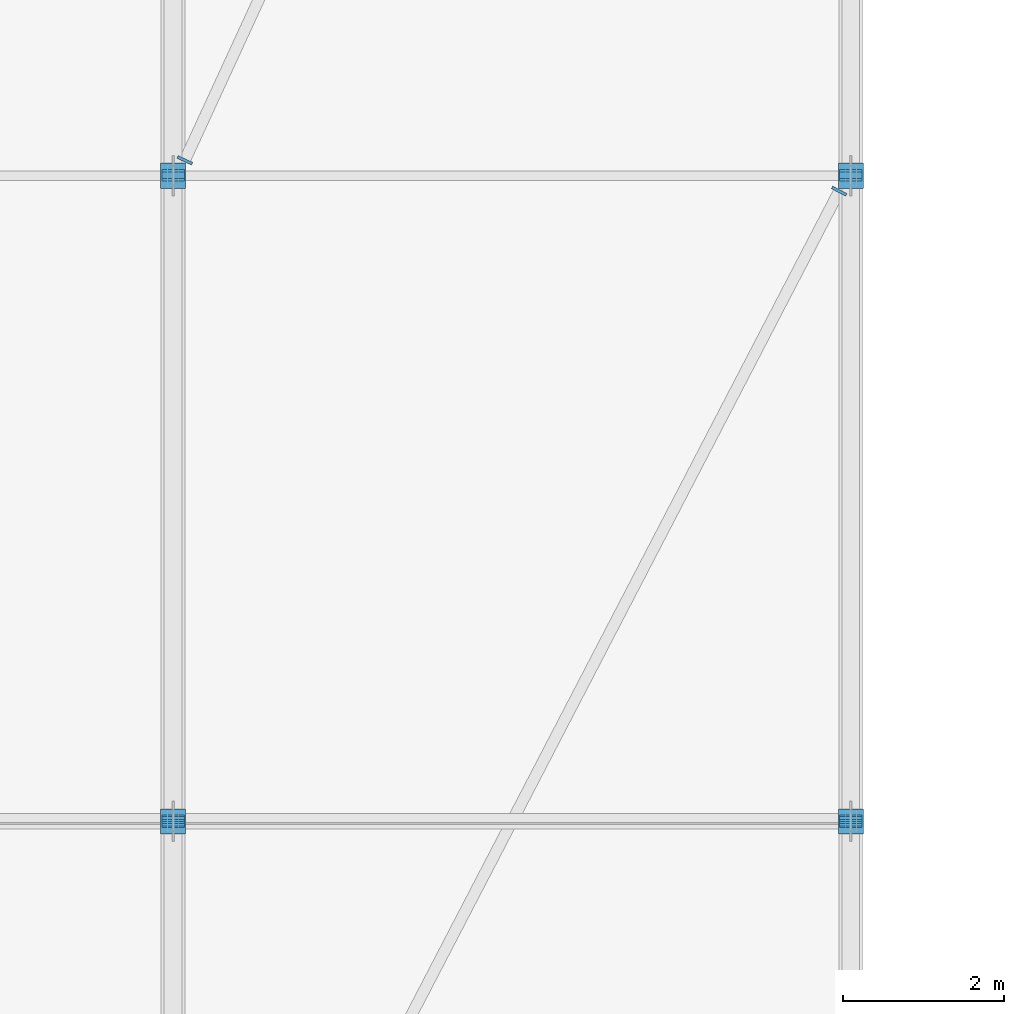
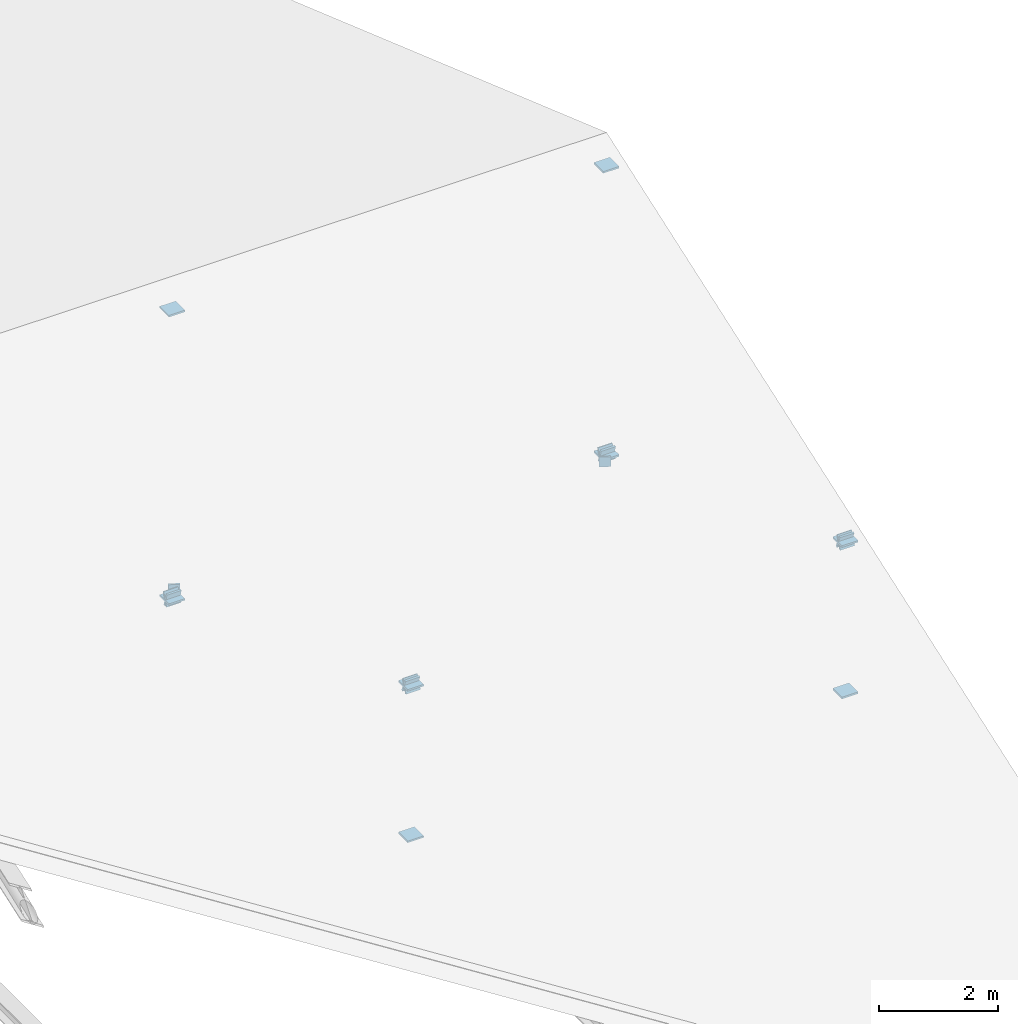
# One storey, part 44 of 57: 18 discrete accessories.
"""IFC4 building model written with IfcOpenShell, lengths in metres."""

from ifc_helpers import new_model, si_unit, direction, frame, origin, origin_2d, place, context, subcontext, project, spatial, rectangle, extrude, material, material_profile, profile_set, type_object, element, save


model = new_model("IFC4")

# Units and contexts
model_context = context("Model", 3, precision=1e-05, world=origin(), true_north=direction((0.0, 1.0)))
body_context = subcontext(model_context, "Body", "Model", "MODEL_VIEW")
ifc_project = project(units=[si_unit("LENGTHUNIT", "METRE"), si_unit("AREAUNIT", "SQUARE_METRE"), si_unit("VOLUMEUNIT", "CUBIC_METRE"), si_unit("PLANEANGLEUNIT", "RADIAN"), si_unit("MASSUNIT", "GRAM", prefix="KILO")], contexts=[model_context])

# Site, building, storey
site_placement = place(None, origin())
site = spatial("IfcSite", under=ifc_project, at=site_placement, CompositionType="ELEMENT")
building_placement = place(site_placement, origin())
building = spatial("IfcBuilding", under=site, at=building_placement, Name="Kelarvand Opera House", CompositionType="ELEMENT")
storey_placement = place(building_placement, frame((0.0, 0.0, 33.60009765625)))
storey = spatial("IfcBuildingStorey", under=building, at=storey_placement, Name="Roof", CompositionType="ELEMENT", Elevation=33.60009765625)

# Discrete accessories
ifc_material = material(Name="Steel S355", Category="steel")
ifc_material_profile_1 = material_profile(ifc_material, rectangle(XDim=0.199951171875, YDim=0.199951171875, at=origin_2d()), Name="Welded Steel Hollow End-Cap Plate 200x200x24", Category="steel")
ifc_profile_set_1 = profile_set([ifc_material_profile_1], Name="Steel S355")
discrete_accessory_type_1 = type_object("IfcDiscreteAccessoryType", Name="Welded Steel Hollow End-Cap Plate 200x200x24", PredefinedType="SHOE", material=ifc_profile_set_1)
discrete_accessory_1_placement = place(storey_placement, frame((50.84619140625, 104.79296875, -13.580078125), z_axis=(0.4634975267, 0.886098212809, 0.0), x_axis=(-0.886098212809, 0.4634975267, 0.0)))
element("IfcDiscreteAccessory", 1, at=discrete_accessory_1_placement, inside=storey, type_object=discrete_accessory_type_1, Name="Hollow Section Welded End Cap 700", PredefinedType="SHOE", context=body_context, shape_type="SweptSolid", body=[
    extrude(rectangle(XDim=0.199951171875, YDim=0.199951171875, at=origin_2d()), origin(), (0.0, 0.0, 1.0), 0.035888671875),
])
discrete_accessory_2_placement = place(storey_placement, frame((42.75341796875, 105.207275390625, -13.580078125), z_axis=(-0.419916986117, -0.907562518381, 0.0), x_axis=(0.907562518381, -0.419916986117, 0.0)))
element("IfcDiscreteAccessory", 2, at=discrete_accessory_2_placement, inside=storey, type_object=discrete_accessory_type_1, Name="Hollow Section Welded End Cap 701", PredefinedType="SHOE", context=body_context, shape_type="SweptSolid", body=[
    extrude(rectangle(XDim=0.199951171875, YDim=0.199951171875, at=origin_2d()), origin(), (0.0, 0.0, 1.0), 0.0361328125),
])
ifc_material_profile_2 = material_profile(ifc_material, rectangle(XDim=0.279052734375, YDim=0.279052734375, at=origin_2d()), Name="Welded Steel Hollow End-Cap Plate 279x279x24", Category="steel")
ifc_profile_set_2 = profile_set([ifc_material_profile_2], Name="Steel S355")
discrete_accessory_type_2 = type_object("IfcDiscreteAccessoryType", Name="Welded Steel Hollow End-Cap Plate 279x279x24", PredefinedType="SHOE", material=ifc_profile_set_2)
for number, where, z_axis, x_axis, name in (
    (3, (42.60009765625, 96.992431640625, -10.505859375), (0.0, 0.931242779706, 0.364399348581), (-1.0, 0.0, 0.0), "Hollow Section Welded End Cap 648"),
    (4, (42.60009765625, 97.007568359375, -10.505859375), (0.0, -0.931242779706, 0.364399348581), (1.0, 0.0, 0.0), "Hollow Section Welded End Cap 649"),
    (5, (42.60009765625, 104.992431640625, -13.5771484375), (0.0, 0.933519842428, -0.358525736585), (-1.0, 0.0, 0.0), "Hollow Section Welded End Cap 650"),
    (6, (42.60009765625, 105.0078125, -13.577880859375), (0.0, -0.958934255811, -0.28362844186), (1.0, 0.0, 0.0), "Hollow Section Welded End Cap 651"),
    (7, (51.0, 96.992431640625, -10.505859375), (0.0, 0.931242779706, 0.364399348581), (-1.0, 0.0, 0.0), "Hollow Section Welded End Cap 672"),
    (8, (51.0, 97.007568359375, -10.505859375), (0.0, -0.931242779706, 0.364399348581), (1.0, 0.0, 0.0), "Hollow Section Welded End Cap 673"),
    (9, (51.0, 104.992431640625, -13.5771484375), (0.0, 0.933519842428, -0.358525736585), (-1.0, 0.0, 0.0), "Hollow Section Welded End Cap 674"),
    (10, (51.0, 105.0078125, -13.577880859375), (0.0, -0.958934255811, -0.28362844186), (1.0, 0.0, 0.0), "Hollow Section Welded End Cap 675"),
):
    element("IfcDiscreteAccessory", number, at=place(storey_placement, frame(where, z_axis=z_axis, x_axis=x_axis)), inside=storey, type_object=discrete_accessory_type_2, Name=name, PredefinedType="SHOE", context=body_context, shape_type="SweptSolid", body=[
        extrude(rectangle(XDim=0.279052734375, YDim=0.279052734375, at=origin_2d()), origin(), (0.0, 0.0, 1.0), 0.0361328125),
    ])
ifc_material_profile_3 = material_profile(ifc_material, rectangle(XDim=0.31005859375, YDim=0.31005859375, at=origin_2d()), Name="Welded Steel Hollow End-Cap Plate 310x310x24", Category="steel")
ifc_profile_set_3 = profile_set([ifc_material_profile_3], Name="Steel S355")
discrete_accessory_type_3 = type_object("IfcDiscreteAccessoryType", Name="Welded Steel Hollow End-Cap Plate 310x310x24", PredefinedType="SHOE", material=ifc_profile_set_3)
for number, where, z_axis, x_axis, name in (
    (11, (42.60009765625, 97.0, -13.572021484375), (0.0, 0.0, -1.0), (1.0, 0.0, 0.0), "Hollow Section Welded End Cap 655"),
    (12, (42.60009765625, 97.0, -10.510986328125), (0.0, 0.0, 1.0), (1.0, 0.0, 0.0), "Hollow Section Welded End Cap 656"),
    (13, (42.60009765625, 105.0, -13.572021484375), (0.0, 0.0, -1.0), (1.0, 0.0, 0.0), "Hollow Section Welded End Cap 657"),
    (14, (42.60009765625, 105.0, -7.7109375), (0.0, 0.0, 1.0), (1.0, 0.0, 0.0), "Hollow Section Welded End Cap 658"),
    (15, (51.0, 97.0, -13.572021484375), (0.0, 0.0, -1.0), (1.0, 0.0, 0.0), "Hollow Section Welded End Cap 679"),
    (16, (51.0, 97.0, -10.510986328125), (0.0, 0.0, 1.0), (1.0, 0.0, 0.0), "Hollow Section Welded End Cap 680"),
    (17, (51.0, 105.0, -13.572021484375), (0.0, 0.0, -1.0), (1.0, 0.0, 0.0), "Hollow Section Welded End Cap 681"),
    (18, (51.0, 105.0, -7.7109375), (0.0, 0.0, 1.0), (1.0, 0.0, 0.0), "Hollow Section Welded End Cap 682"),
):
    element("IfcDiscreteAccessory", number, at=place(storey_placement, frame(where, z_axis=z_axis, x_axis=x_axis)), inside=storey, type_object=discrete_accessory_type_3, Name=name, PredefinedType="SHOE", context=body_context, shape_type="SweptSolid", body=[
        extrude(rectangle(XDim=0.31005859375, YDim=0.31005859375, at=origin_2d()), origin(), (0.0, 0.0, 1.0), 0.0361328125),
    ])

save(model, "model.ifc")
